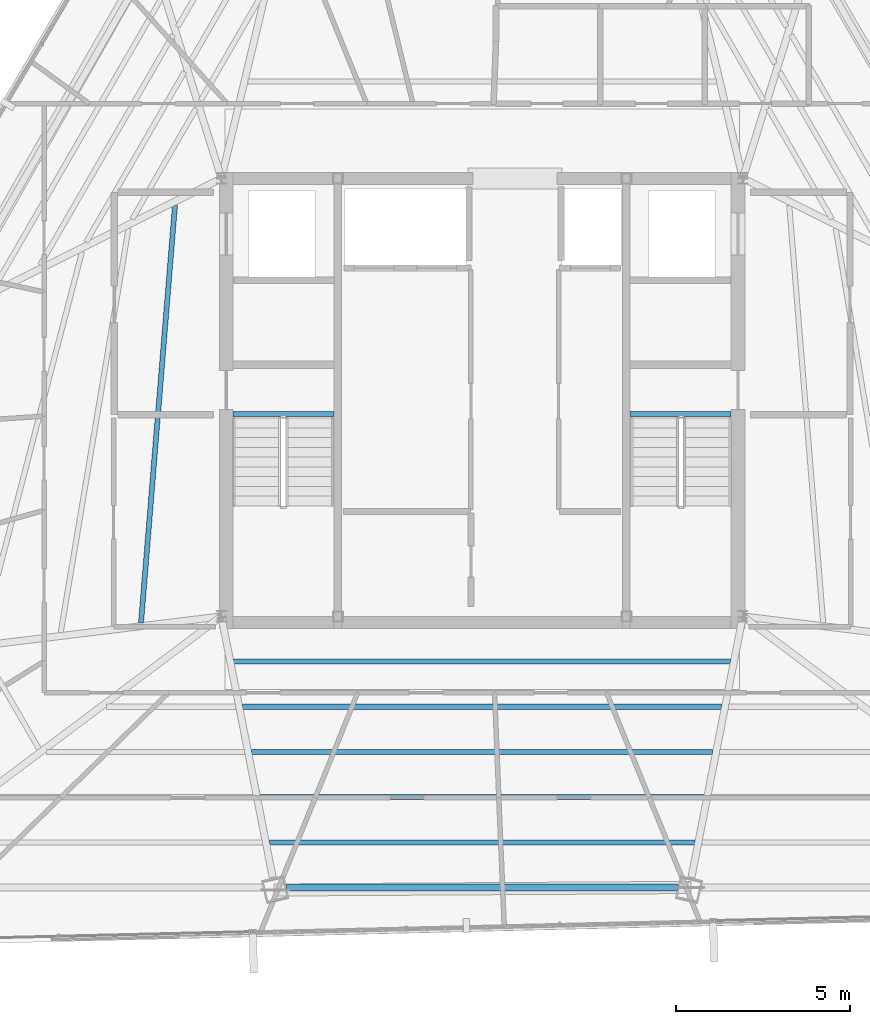
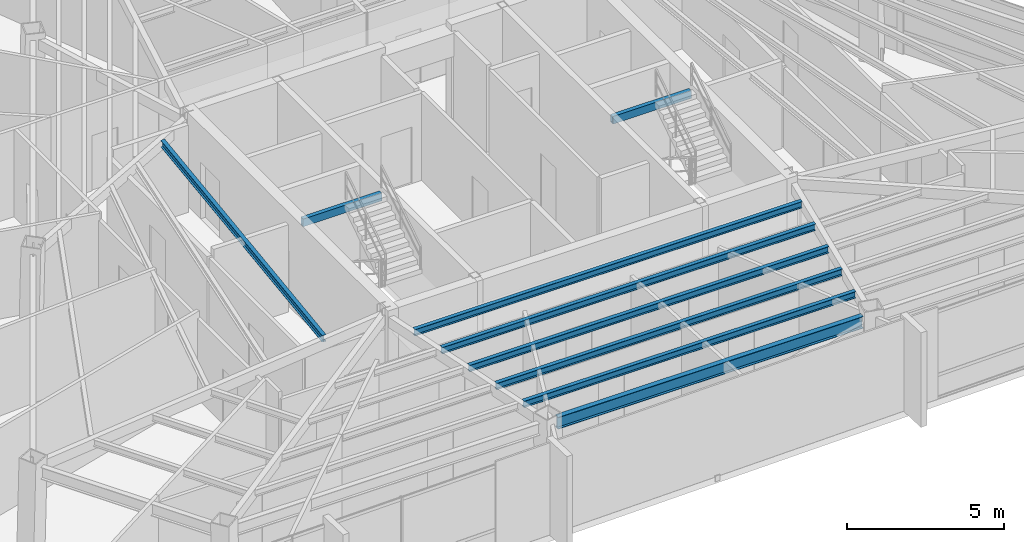
# One storey, part 14 of 45: 9 beams.
"""IFC4 building model written with IfcOpenShell, lengths in metres."""

from ifc_helpers import new_model, si_unit, direction, frame, origin, origin_2d, place, context, subcontext, project, spatial, hollow_rectangle, i_section, extrude, source, transform, mapped, material, material_profile, profile_set, type_object, type_shapes, element, save


model = new_model("IFC4")

# Units and contexts
model_context = context("Model", 3, precision=1e-05, world=origin(), true_north=direction((0.0, 1.0)))
body_context = subcontext(model_context, "Body", "Model", "MODEL_VIEW")
ifc_project = project(units=[si_unit("LENGTHUNIT", "METRE"), si_unit("AREAUNIT", "SQUARE_METRE"), si_unit("VOLUMEUNIT", "CUBIC_METRE"), si_unit("PLANEANGLEUNIT", "RADIAN"), si_unit("MASSUNIT", "GRAM", prefix="KILO")], contexts=[model_context])

# Site, building, storey
site_placement = place(None, origin())
site = spatial("IfcSite", under=ifc_project, at=site_placement, CompositionType="ELEMENT")
building_placement = place(site_placement, origin())
building = spatial("IfcBuilding", under=site, at=building_placement, Name="Caelisora Broadcast Tower", CompositionType="ELEMENT")
storey_placement = place(building_placement, frame((0.0, 0.0, 266.35009765625)))
storey = spatial("IfcBuildingStorey", under=building, at=storey_placement, Name="L70", CompositionType="ELEMENT", Elevation=266.35009765625)

# Beams
ifc_material_1 = material(Name="Steel Grade 350 (AS/NZS 1163 C350L0)", Category="steel")
ifc_material_profile_1 = material_profile(ifc_material_1, hollow_rectangle(XDim=0.14990234375, YDim=0.300048828125, WallThickness=0.010009765625, at=origin_2d()), Name="Steel Grade 350 (AS/NZS 1163 C350L0)")
ifc_profile_set_1 = profile_set([ifc_material_profile_1], Name="Steel Grade 350 (AS/NZS 1163 C350L0)")
beam_type_1 = type_object("IfcBeamType", Name="SB05", PredefinedType="JOIST", material=ifc_profile_set_1)
shared_shape_1 = source(origin(), body_context, "Body", "SweptSolid", [
    extrude(hollow_rectangle(XDim=0.14990234375, YDim=0.300048828125, WallThickness=0.010009765625, at=origin_2d()), origin(), (0.0, 0.0, 1.0), 2.89990234375),
])
type_shapes(beam_type_1, [shared_shape_1])
for number, where, z_axis, x_axis, name in (
    (1, (30.840087890625, 23.219970703125, 3.25), (1.0, 0.0, 0.0), (0.0, 1.0, 0.0), "L70 beam SB05"),
    (2, (42.260009765625, 23.219970703125, 3.25), (1.0, 0.0, 0.0), (0.0, 1.0, 0.0), "L70 beam SB05"),
):
    element("IfcBeam", number, at=place(storey_placement, frame(where, z_axis=z_axis, x_axis=x_axis)), inside=storey, type_object=beam_type_1, Name=name, PredefinedType="JOIST", context=body_context, shape_type="MappedRepresentation", body=[
        mapped(shared_shape_1, transform((0.0, 0.0, 0.0), scale=1.0)),
    ])
ifc_material_2 = material(Name="Steel Grade 350 (AS/NZS 3679.1)", Category="steel")
ifc_material_profile_2 = material_profile(ifc_material_2, i_section(OverallWidth=0.19091796875, OverallDepth=0.46044921875, WebThickness=0.010009765625, FlangeThickness=0.01611328125, at=origin_2d()), Name="Steel Grade 350 (AS/NZS 3679.1)")
ifc_profile_set_2 = profile_set([ifc_material_profile_2], Name="Steel Grade 350 (AS/NZS 3679.1)")
beam_type_2 = type_object("IfcBeamType", Name="PG06", PredefinedType="BEAM", material=ifc_profile_set_2)
shared_shape_2 = source(origin(), body_context, "Body", "SweptSolid", [
    extrude(i_section(OverallWidth=0.19091796875, OverallDepth=0.46044921875, WebThickness=0.010009765625, FlangeThickness=0.01611328125, at=origin_2d()), origin(), (0.0, 0.0, 1.0), 11.25537109375),
])
type_shapes(beam_type_2, [shared_shape_2])
beam_1_placement = place(storey_placement, frame((32.372314453125, 9.601318359375, 3.169677734375), z_axis=(1.0, 0.0, 0.0), x_axis=(0.0, 1.0, 0.0)))
element("IfcBeam", 3, at=beam_1_placement, inside=storey, type_object=beam_type_2, Name="L70 beam PG06", PredefinedType="BEAM", context=body_context, shape_type="MappedRepresentation", body=[
    mapped(shared_shape_2, transform((0.0, 0.0, 0.0), scale=1.0)),
])
ifc_material_profile_3 = material_profile(ifc_material_2, i_section(OverallWidth=0.14599609375, OverallDepth=0.256103515625, WebThickness=0.00634765625, FlangeThickness=0.010986328125, at=origin_2d()), Name="Steel Grade 350 (AS/NZS 3679.1)")
ifc_profile_set_3 = profile_set([ifc_material_profile_3], Name="Steel Grade 350 (AS/NZS 3679.1)")
beam_type_3 = type_object("IfcBeamType", Name="SB04", PredefinedType="JOIST", material=ifc_profile_set_3)
shared_shape_3 = source(origin(), body_context, "Body", "SweptSolid", [
    extrude(i_section(OverallWidth=0.14599609375, OverallDepth=0.256103515625, WebThickness=0.00634765625, FlangeThickness=0.010986328125, at=origin_2d()), origin(), (0.0, 0.0, 1.0), 12.04931640625),
])
beam_2_placement = place(storey_placement, frame((29.165283203125, 29.225341796875, 3.271728515625), z_axis=(-0.081066666012, -0.996708681442, 0.0), x_axis=(0.996708681442, -0.081066666012, 0.0)))
element("IfcBeam", 4, at=beam_2_placement, inside=storey, type_object=beam_type_3, Name="L70 beam SB04", PredefinedType="JOIST", context=body_context, shape_type="MappedRepresentation", body=[
    mapped(shared_shape_3, transform((0.0, 0.0, 0.0), scale=1.0)),
])
shared_shape_4 = source(origin(), body_context, "Body", "SweptSolid", [
    extrude(i_section(OverallWidth=0.14599609375, OverallDepth=0.256103515625, WebThickness=0.00634765625, FlangeThickness=0.010986328125, at=origin_2d()), origin(), (0.0, 0.0, 1.0), 14.291015625),
])
beam_3_placement = place(storey_placement, frame((30.8544921875, 16.10009765625, 3.271728515625), z_axis=(1.0, 0.0, 0.0), x_axis=(0.0, 1.0, 0.0)))
element("IfcBeam", 5, at=beam_3_placement, inside=storey, type_object=beam_type_3, Name="L70 beam SB04", PredefinedType="JOIST", context=body_context, shape_type="MappedRepresentation", body=[
    mapped(shared_shape_4, transform((0.0, 0.0, 0.0), scale=1.0)),
])
shared_shape_5 = source(origin(), body_context, "Body", "SweptSolid", [
    extrude(i_section(OverallWidth=0.14599609375, OverallDepth=0.256103515625, WebThickness=0.00634765625, FlangeThickness=0.010986328125, at=origin_2d()), origin(), (0.0, 0.0, 1.0), 13.779296875),
])
beam_4_placement = place(storey_placement, frame((31.1103515625, 14.80029296875, 3.271728515625), z_axis=(1.0, 0.0, 0.0), x_axis=(0.0, 1.0, 0.0)))
element("IfcBeam", 6, at=beam_4_placement, inside=storey, type_object=beam_type_3, Name="L70 beam SB04", PredefinedType="JOIST", context=body_context, shape_type="MappedRepresentation", body=[
    mapped(shared_shape_5, transform((0.0, 0.0, 0.0), scale=1.0)),
])
shared_shape_6 = source(origin(), body_context, "Body", "SweptSolid", [
    extrude(i_section(OverallWidth=0.14599609375, OverallDepth=0.256103515625, WebThickness=0.00634765625, FlangeThickness=0.010986328125, at=origin_2d()), origin(), (0.0, 0.0, 1.0), 13.267578125),
])
beam_5_placement = place(storey_placement, frame((31.3662109375, 13.500732421875, 3.271728515625), z_axis=(1.0, 0.0, 0.0), x_axis=(0.0, 1.0, 0.0)))
element("IfcBeam", 7, at=beam_5_placement, inside=storey, type_object=beam_type_3, Name="L70 beam SB04", PredefinedType="JOIST", context=body_context, shape_type="MappedRepresentation", body=[
    mapped(shared_shape_6, transform((0.0, 0.0, 0.0), scale=1.0)),
])
shared_shape_7 = source(origin(), body_context, "Body", "SweptSolid", [
    extrude(i_section(OverallWidth=0.14599609375, OverallDepth=0.256103515625, WebThickness=0.00634765625, FlangeThickness=0.010986328125, at=origin_2d()), origin(), (0.0, 0.0, 1.0), 12.75634765625),
])
beam_6_placement = place(storey_placement, frame((31.621826171875, 12.200927734375, 3.271728515625), z_axis=(1.0, 0.0, 0.0), x_axis=(0.0, 1.0, 0.0)))
element("IfcBeam", 8, at=beam_6_placement, inside=storey, type_object=beam_type_3, Name="L70 beam SB04", PredefinedType="JOIST", context=body_context, shape_type="MappedRepresentation", body=[
    mapped(shared_shape_7, transform((0.0, 0.0, 0.0), scale=1.0)),
])
shared_shape_8 = source(origin(), body_context, "Body", "SweptSolid", [
    extrude(i_section(OverallWidth=0.14599609375, OverallDepth=0.256103515625, WebThickness=0.00634765625, FlangeThickness=0.010986328125, at=origin_2d()), origin(), (0.0, 0.0, 1.0), 12.2451171875),
])
type_shapes(beam_type_3, [shared_shape_3, shared_shape_4, shared_shape_5, shared_shape_6, shared_shape_7, shared_shape_8])
beam_7_placement = place(storey_placement, frame((31.87744140625, 10.901123046875, 3.271728515625), z_axis=(1.0, 0.0, 0.0), x_axis=(0.0, 1.0, 0.0)))
element("IfcBeam", 9, at=beam_7_placement, inside=storey, type_object=beam_type_3, Name="L70 beam SB04", PredefinedType="JOIST", context=body_context, shape_type="MappedRepresentation", body=[
    mapped(shared_shape_8, transform((0.0, 0.0, 0.0), scale=1.0)),
])

save(model, "model.ifc")
